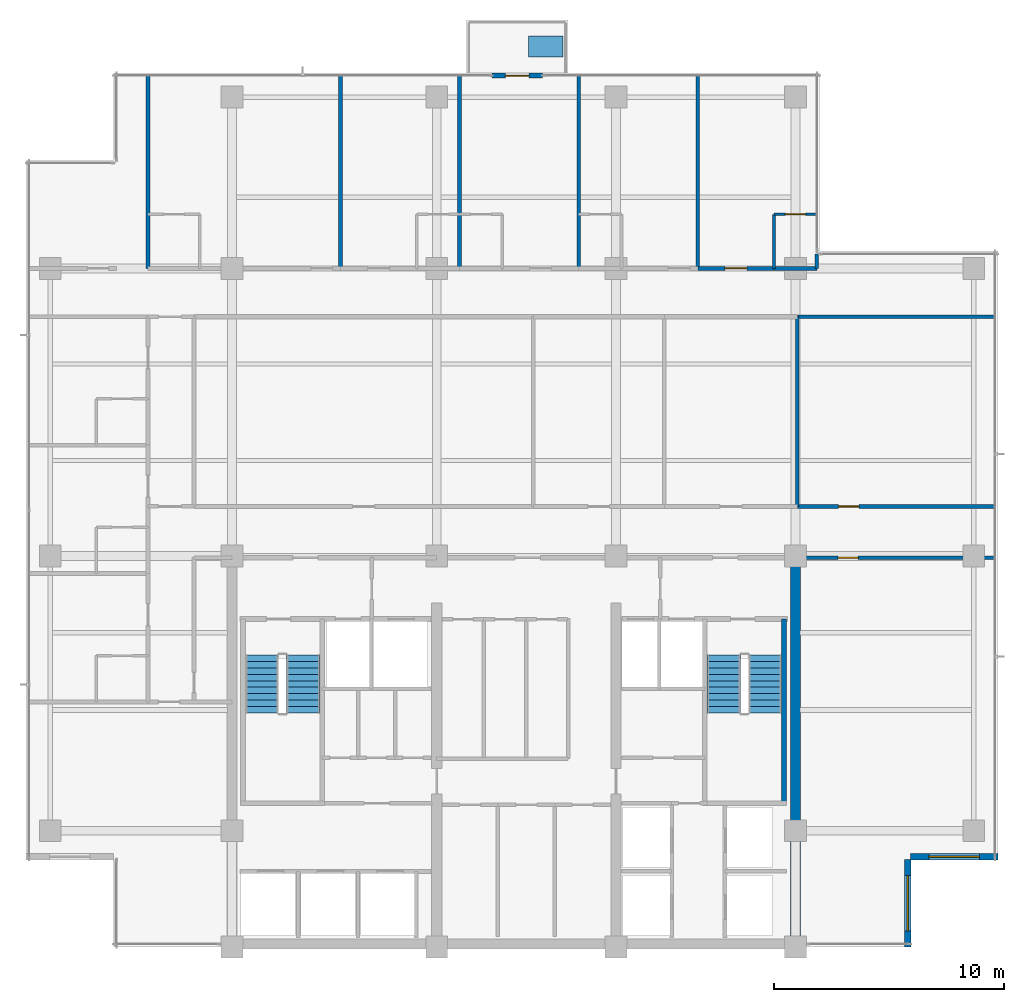
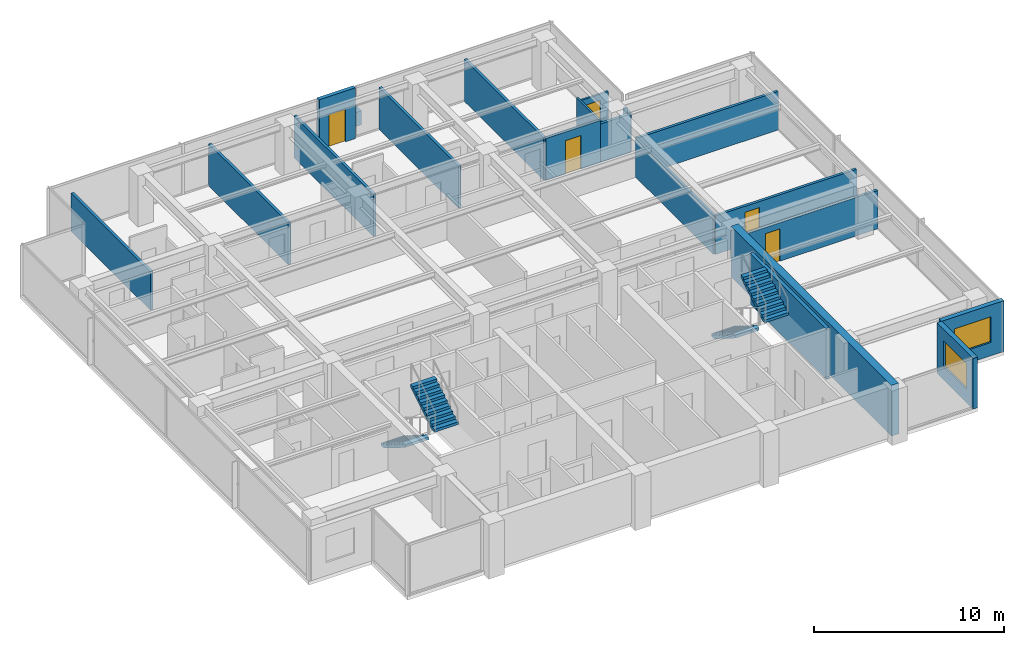
# One storey, part 10 of 15: 19 walls, 5 doors, 4 stair flights, 2 windows, 1 discrete accessory, 7 openings, 2 elements without a shape of their own.
"""IFC4 building model written with IfcOpenShell, lengths in metres."""

from ifc_helpers import new_model, si_unit, direction, frame, frame_2d, origin, place, context, subcontext, project, spatial, polyline, rectangle, outline, extrude, material, layer, layer_set, type_object, element, fill, aggregate, save


model = new_model("IFC4")

# Units and contexts
model_context = context("Model", 3, precision=1e-05, world=origin(), true_north=direction((0.0, 1.0)))
body_context = subcontext(model_context, "Body", "Model", "MODEL_VIEW")
ifc_project = project(units=[si_unit("LENGTHUNIT", "METRE"), si_unit("AREAUNIT", "SQUARE_METRE"), si_unit("VOLUMEUNIT", "CUBIC_METRE"), si_unit("PLANEANGLEUNIT", "RADIAN"), si_unit("MASSUNIT", "GRAM", prefix="KILO")], contexts=[model_context])

# Site, building, storey
site_placement = place(None, origin())
site = spatial("IfcSite", under=ifc_project, at=site_placement, CompositionType="ELEMENT")
building_placement = place(site_placement, origin())
building = spatial("IfcBuilding", under=site, at=building_placement, Name="Qalmaran Belvedere Hotel", CompositionType="ELEMENT")
storey_placement = place(building_placement, frame((0.0, 0.0, 196.89990234375)))
storey = spatial("IfcBuildingStorey", under=building, at=storey_placement, Name="L49", CompositionType="ELEMENT", Elevation=196.89990234375)

# Wall, opening, door
ifc_material_1 = material(Name="Anodised Bronze Cladding")
ifc_layer_1 = layer(ifc_material_1, 0.22509765625, Name="Anodised Bronze Cladding")
ifc_layer_set_1 = layer_set([ifc_layer_1], Name="Anodised Bronze Cladding")
wall_type_1 = type_object("IfcWallType", Name="WL-BAL-PORT-225", PredefinedType="SOLIDWALL", material=ifc_layer_set_1)
wall_1_placement = place(storey_placement, frame((31.60009765625, 41.3798828125, 0.0), z_axis=(0.0, 0.0, 1.0), x_axis=(1.0, 0.0, 0.0)))
wall_1 = element("IfcWall", 1, at=wall_1_placement, inside=storey, type_object=wall_type_1, Name="L49 Tree Balcony Door Portal", PredefinedType="SOLIDWALL", context=body_context, shape_type="SweptSolid", body=[
    extrude(rectangle(XDim=2.199951171875, YDim=0.22509765625, at=frame_2d((1.10009765625, 0.0))), origin(), (0.0, 0.0, 1.0), 3.260009765625),
])
opening_1_placement = place(wall_1_placement, frame((0.590087890625, 0.0, 0.0)))
opening_1 = element("IfcOpeningElement", 2, at=opening_1_placement, cuts=wall_1, Name="Opening BL-102", PredefinedType="OPENING", context=body_context, shape_type="SweptSolid", body=[
    extrude(rectangle(XDim=1.02001953125, YDim=2.10009765625, at=frame_2d((0.510009765625, 1.050048828125))), frame((0.0, 0.12255859375, 0.0), z_axis=(0.0, -1.0, 0.0), x_axis=(1.0, 0.0, 0.0)), (0.0, 0.0, 1.0), 0.2451171875),
])
ifc_material_2 = material(Name="Anodised Bronze Aluminium", Category="aluminium")
door_type_1 = type_object("IfcDoorType", Name="DR-BAL-1020X2100", OperationType="NOTDEFINED", PredefinedType="DOOR", material=ifc_material_2)
door_1_placement = place(opening_1_placement, origin())
door_1 = element("IfcDoor", 3, at=door_1_placement, inside=storey, type_object=door_type_1, Name="L49 Planted Tree Balcony Door", OperationType="SINGLE_SWING_RIGHT", OverallHeight=2.10009765625, OverallWidth=1.02001953125, PredefinedType="DOOR", context=body_context, shape_type="SweptSolid", body=[
    extrude(rectangle(XDim=1.02001953125, YDim=2.10009765625, at=frame_2d((0.510009765625, 1.050048828125))), frame((0.0, 0.02490234375, 0.0), z_axis=(0.0, -1.0, 0.0), x_axis=(1.0, 0.0, 0.0)), (0.0, 0.0, 1.0), 0.050048828125),
])
fill(opening_1, door_1)

# Wall
ifc_material_3 = material(Name="Concrete C50/60", Category="concrete")
ifc_layer_2 = layer(ifc_material_3, 0.449951171875, Name="Concrete C50/60")
ifc_layer_set_2 = layer_set([ifc_layer_2], Name="Concrete C50/60")
wall_type_2 = type_object("IfcWallType", Name="WL-CORE-450-C50", PredefinedType="SHEAR", material=ifc_layer_set_2)
wall_2_placement = place(storey_placement, frame((44.800048828125, 3.5, 0.0), z_axis=(0.0, 0.0, 1.0), x_axis=(0.0, 1.0, 0.0)))
element("IfcWall", 4, at=wall_2_placement, inside=storey, type_object=wall_type_2, Name="L49 East Core Shear Wall", PredefinedType="SHEAR", context=body_context, shape_type="SweptSolid", body=[
    extrude(rectangle(XDim=16.89990234375, YDim=0.449951171875, at=frame_2d((8.449951171875, 0.0))), origin(), (0.0, 0.0, 1.0), 3.260009765625),
])

# Wall, opening, window
ifc_layer_3 = layer(ifc_material_1, 0.280029296875, Name="Anodised Bronze Cladding")
ifc_layer_set_3 = layer_set([ifc_layer_3], Name="Anodised Bronze Cladding")
wall_type_3 = type_object("IfcWallType", Name="WL-EXT-BRNZ-280", PredefinedType="SOLIDWALL", material=ifc_layer_set_3)
wall_3_placement = place(storey_placement, frame((49.679931640625, 3.5, 0.0), z_axis=(0.0, 0.0, 1.0), x_axis=(0.0, 1.0, 0.0)))
wall_3 = element("IfcWall", 5, at=wall_3_placement, inside=storey, type_object=wall_type_3, Name="L49 Corner Notch Wall 1", PredefinedType="SOLIDWALL", context=body_context, shape_type="SweptSolid", body=[
    extrude(rectangle(XDim=3.800048828125, YDim=0.280029296875, at=frame_2d((1.89990234375, 0.0))), origin(), (0.0, 0.0, 1.0), 3.260009765625),
])
opening_2_placement = place(wall_3_placement, frame((0.699951171875, 0.0, 0.85009765625)))
opening_2 = element("IfcOpeningElement", 6, at=opening_2_placement, cuts=wall_3, Name="Opening W-N24", PredefinedType="OPENING", context=body_context, shape_type="SweptSolid", body=[
    extrude(rectangle(XDim=2.39990234375, YDim=1.64990234375, at=frame_2d((1.199951171875, 0.824951171875))), frame((0.0, 0.14990234375, 0.0), z_axis=(0.0, -1.0, 0.0), x_axis=(1.0, 0.0, 0.0)), (0.0, 0.0, 1.0), 0.300048828125),
])
ifc_material_4 = material(Name="Solar-Control Double Glazing", Category="glass")
window_type_1 = type_object("IfcWindowType", Name="WN-NTC-2400X1650", PartitioningType="SINGLE_PANEL", PredefinedType="WINDOW", material=ifc_material_4)
window_1_placement = place(opening_2_placement, origin())
window_1 = element("IfcWindow", 7, at=window_1_placement, inside=storey, type_object=window_type_1, Name="L49 Corner Notch Window 1", OverallHeight=1.64990234375, OverallWidth=2.39990234375, PartitioningType="SINGLE_PANEL", PredefinedType="WINDOW", context=body_context, shape_type="SweptSolid", body=[
    extrude(rectangle(XDim=2.39990234375, YDim=1.64990234375, at=frame_2d((1.199951171875, 0.824951171875))), frame((0.0, 0.030029296875, 0.0), z_axis=(0.0, -1.0, 0.0), x_axis=(1.0, 0.0, 0.0)), (0.0, 0.0, 1.0), 0.06005859375),
])
fill(opening_2, window_1)

wall_4_placement = place(storey_placement, frame((49.800048828125, 7.419921875, 0.0), z_axis=(0.0, 0.0, 1.0), x_axis=(1.0, 0.0, 0.0)))
wall_4 = element("IfcWall", 8, at=wall_4_placement, inside=storey, type_object=wall_type_3, Name="L49 Corner Notch Wall 2", PredefinedType="SOLIDWALL", context=body_context, shape_type="SweptSolid", body=[
    extrude(rectangle(XDim=3.800048828125, YDim=0.280029296875, at=frame_2d((1.89990234375, 0.0))), origin(), (0.0, 0.0, 1.0), 3.260009765625),
])
opening_3_placement = place(wall_4_placement, frame((0.800048828125, 0.0, 0.85009765625)))
opening_3 = element("IfcOpeningElement", 9, at=opening_3_placement, cuts=wall_4, Name="Opening W-N22", PredefinedType="OPENING", context=body_context, shape_type="SweptSolid", body=[
    extrude(rectangle(XDim=2.199951171875, YDim=1.64990234375, at=frame_2d((1.10009765625, 0.824951171875))), frame((0.0, 0.14990234375, 0.0), z_axis=(0.0, -1.0, 0.0), x_axis=(1.0, 0.0, 0.0)), (0.0, 0.0, 1.0), 0.300048828125),
])
window_type_2 = type_object("IfcWindowType", Name="WN-NTC-2200X1650", PartitioningType="SINGLE_PANEL", PredefinedType="WINDOW", material=ifc_material_4)
window_2_placement = place(opening_3_placement, origin())
window_2 = element("IfcWindow", 10, at=window_2_placement, inside=storey, type_object=window_type_2, Name="L49 Corner Notch Window 2", OverallHeight=1.64990234375, OverallWidth=2.199951171875, PartitioningType="SINGLE_PANEL", PredefinedType="WINDOW", context=body_context, shape_type="SweptSolid", body=[
    extrude(rectangle(XDim=2.199951171875, YDim=1.64990234375, at=frame_2d((1.10009765625, 0.824951171875))), frame((0.0, 0.030029296875, 0.0), z_axis=(0.0, -1.0, 0.0), x_axis=(1.0, 0.0, 0.0)), (0.0, 0.0, 1.0), 0.06005859375),
])
fill(opening_3, window_2)

# Wall, opening, door
ifc_material_5 = material(Name="Moisture-Resistant Gypsum")
ifc_layer_4 = layer(ifc_material_5, 0.1201171875, Name="Moisture-Resistant Gypsum")
ifc_layer_set_4 = layer_set([ifc_layer_4], Name="Moisture-Resistant Gypsum")
wall_type_4 = type_object("IfcWallType", Name="WL-INT-120-BATH", PredefinedType="PARTITIONING", material=ifc_layer_set_4)
wall_5_placement = place(storey_placement, frame((43.8701171875, 35.35009765625, 0.0), z_axis=(0.0, 0.0, 1.0), x_axis=(1.0, 0.0, 0.0)))
wall_5 = element("IfcWall", 11, at=wall_5_placement, inside=storey, type_object=wall_type_4, Name="L49 Partition WL-L49-NBN04", PredefinedType="PARTITIONING", context=body_context, shape_type="SweptSolid", body=[
    extrude(rectangle(XDim=1.85986328125, YDim=0.1201171875, at=frame_2d((0.929931640625, 0.0))), origin(), (0.0, 0.0, 1.0), 2.47216796875),
])
opening_4_placement = place(wall_5_placement, frame((1.369873046875, 0.0, 0.0), z_axis=(0.0, 0.0, 1.0), x_axis=(-1.0, 0.0, 0.0)))
opening_4 = element("IfcOpeningElement", 12, at=opening_4_placement, cuts=wall_5, Name="Opening D-BATH", PredefinedType="OPENING", context=body_context, shape_type="SweptSolid", body=[
    extrude(rectangle(XDim=0.8798828125, YDim=2.080078125, at=frame_2d((0.43994140625, 1.0400390625))), frame((0.0, 0.070068359375, 0.0), z_axis=(0.0, -1.0, 0.0), x_axis=(1.0, 0.0, 0.0)), (0.0, 0.0, 1.0), 0.14013671875),
])
ifc_material_6 = material(Name="Engineered Oak Veneer")
door_type_2 = type_object("IfcDoorType", Name="DR-INT-BATH-880X2080", OperationType="NOTDEFINED", PredefinedType="DOOR", material=ifc_material_6)
door_2_placement = place(opening_4_placement, origin())
door_2 = element("IfcDoor", 13, at=door_2_placement, inside=storey, type_object=door_type_2, Name="L49 Ensuite Bathroom Door N05", OperationType="SINGLE_SWING_RIGHT", OverallHeight=2.080078125, OverallWidth=0.8798828125, PredefinedType="DOOR", context=body_context, shape_type="SweptSolid", body=[
    extrude(rectangle(XDim=0.8798828125, YDim=2.080078125, at=frame_2d((0.43994140625, 1.0400390625))), frame((0.0, 0.02490234375, 0.0), z_axis=(0.0, -1.0, 0.0), x_axis=(1.0, 0.0, 0.0)), (0.0, 0.0, 1.0), 0.050048828125),
])
fill(opening_4, door_2)

# Wall
wall_6_placement = place(storey_placement, frame((43.8701171875, 33.0, 0.0), z_axis=(0.0, 0.0, 1.0), x_axis=(0.0, 1.0, 0.0)))
element("IfcWall", 14, at=wall_6_placement, inside=storey, type_object=wall_type_4, Name="L49 Partition WL-L49-NBS04", PredefinedType="PARTITIONING", context=body_context, shape_type="SweptSolid", body=[
    extrude(rectangle(XDim=2.35009765625, YDim=0.1201171875, at=frame_2d((1.175048828125, 0.0))), origin(), (0.0, 0.0, 1.0), 2.7060546875),
])

# Wall, opening, door
ifc_material_7 = material(Name="Gypsum Stud Partition")
ifc_layer_5 = layer(ifc_material_7, 0.159912109375, Name="Gypsum Stud Partition")
ifc_layer_set_5 = layer_set([ifc_layer_5], Name="Gypsum Stud Partition")
wall_type_5 = type_object("IfcWallType", Name="WL-INT-160-EI60", PredefinedType="PARTITIONING", material=ifc_layer_set_5)
wall_7_placement = place(storey_placement, frame((44.800048828125, 20.419921875, 0.0), z_axis=(0.0, 0.0, 1.0), x_axis=(1.0, 0.0, 0.0)))
wall_7 = element("IfcWall", 15, at=wall_7_placement, inside=storey, type_object=wall_type_5, Name="L49 Partition WL-L49-ECE1S", PredefinedType="PARTITIONING", context=body_context, shape_type="SweptSolid", body=[
    extrude(rectangle(XDim=8.679931640625, YDim=0.159912109375, at=frame_2d((4.33984375, 0.0))), origin(), (0.0, 0.0, 1.0), 2.47216796875),
])
opening_5_placement = place(wall_7_placement, frame((2.72998046875, 0.0, 0.0), z_axis=(0.0, 0.0, 1.0), x_axis=(-1.0, 0.0, 0.0)))
opening_5 = element("IfcOpeningElement", 16, at=opening_5_placement, cuts=wall_7, Name="Opening FD60B", PredefinedType="OPENING", context=body_context, shape_type="SweptSolid", body=[
    extrude(rectangle(XDim=0.8798828125, YDim=2.080078125, at=frame_2d((0.43994140625, 1.0400390625))), frame((0.0, 0.08984375, 0.0), z_axis=(0.0, -1.0, 0.0), x_axis=(1.0, 0.0, 0.0)), (0.0, 0.0, 1.0), 0.179931640625),
])
ifc_material_8 = material(Name="Steel S355JR", Category="steel")
door_type_3 = type_object("IfcDoorType", Name="DR-FD60B-880X2080", OperationType="NOTDEFINED", PredefinedType="DOOR", material=ifc_material_8)
door_3_placement = place(opening_5_placement, origin())
door_3 = element("IfcDoor", 17, at=door_3_placement, inside=storey, type_object=door_type_3, Name="L49 East Library Door", OperationType="SINGLE_SWING_LEFT", OverallHeight=2.080078125, OverallWidth=0.8798828125, PredefinedType="DOOR", context=body_context, shape_type="SweptSolid", body=[
    extrude(rectangle(XDim=0.8798828125, YDim=2.080078125, at=frame_2d((0.43994140625, 1.0400390625))), frame((0.0, 0.02490234375, 0.0), z_axis=(0.0, -1.0, 0.0), x_axis=(1.0, 0.0, 0.0)), (0.0, 0.0, 1.0), 0.050048828125),
])
fill(opening_5, door_3)

wall_8_placement = place(storey_placement, frame((44.8798828125, 22.64990234375, 0.0), z_axis=(0.0, 0.0, 1.0), x_axis=(1.0, 0.0, 0.0)))
wall_8 = element("IfcWall", 18, at=wall_8_placement, inside=storey, type_object=wall_type_5, Name="L49 Partition WL-L49-ECE2N", PredefinedType="PARTITIONING", context=body_context, shape_type="SweptSolid", body=[
    extrude(rectangle(XDim=8.60009765625, YDim=0.159912109375, at=frame_2d((4.300048828125, 0.0))), origin(), (0.0, 0.0, 1.0), 2.47216796875),
])
opening_6_placement = place(wall_8_placement, frame((1.800048828125, 0.0, 0.0)))
opening_6 = element("IfcOpeningElement", 19, at=opening_6_placement, cuts=wall_8, Name="Opening FD60B", PredefinedType="OPENING", context=body_context, shape_type="SweptSolid", body=[
    extrude(rectangle(XDim=0.8798828125, YDim=2.080078125, at=frame_2d((0.43994140625, 1.0400390625))), frame((0.0, 0.08984375, 0.0), z_axis=(0.0, -1.0, 0.0), x_axis=(1.0, 0.0, 0.0)), (0.0, 0.0, 1.0), 0.179931640625),
])
door_4_placement = place(opening_6_placement, origin())
door_4 = element("IfcDoor", 20, at=door_4_placement, inside=storey, type_object=door_type_3, Name="L49 East Fitness Door", OperationType="SINGLE_SWING_RIGHT", OverallHeight=2.080078125, OverallWidth=0.8798828125, PredefinedType="DOOR", context=body_context, shape_type="SweptSolid", body=[
    extrude(rectangle(XDim=0.8798828125, YDim=2.080078125, at=frame_2d((0.43994140625, 1.0400390625))), frame((0.0, 0.02490234375, 0.0), z_axis=(0.0, -1.0, 0.0), x_axis=(1.0, 0.0, 0.0)), (0.0, 0.0, 1.0), 0.050048828125),
])
fill(opening_6, door_4)

# Walls
wall_9_placement = place(storey_placement, frame((44.8798828125, 30.89990234375, 0.0), z_axis=(0.0, 0.0, 1.0), x_axis=(1.0, 0.0, 0.0)))
element("IfcWall", 21, at=wall_9_placement, inside=storey, type_object=wall_type_5, Name="L49 Partition WL-L49-ECEN", PredefinedType="PARTITIONING", context=body_context, shape_type="SweptSolid", body=[
    extrude(rectangle(XDim=8.60009765625, YDim=0.159912109375, at=frame_2d((4.300048828125, 0.0))), origin(), (0.0, 0.0, 1.0), 2.47216796875),
])
wall_10_placement = place(storey_placement, frame((44.8798828125, 22.64990234375, 0.0), z_axis=(0.0, 0.0, 1.0), x_axis=(0.0, 1.0, 0.0)))
element("IfcWall", 22, at=wall_10_placement, inside=storey, type_object=wall_type_5, Name="L49 Partition WL-L49-MIDVR3", PredefinedType="PARTITIONING", context=body_context, shape_type="SweptSolid", body=[
    extrude(rectangle(XDim=8.25, YDim=0.159912109375, at=frame_2d((4.125, 0.0))), origin(), (0.0, 0.0, 1.0), 2.47216796875),
])
wall_11_placement = place(storey_placement, frame((16.64990234375, 33.0, 0.0), z_axis=(0.0, 0.0, 1.0), x_axis=(0.0, 1.0, 0.0)))
element("IfcWall", 23, at=wall_11_placement, inside=storey, type_object=wall_type_5, Name="L49 Partition WL-L49-NUL", PredefinedType="PARTITIONING", context=body_context, shape_type="SweptSolid", body=[
    extrude(rectangle(XDim=8.3798828125, YDim=0.159912109375, at=frame_2d((4.18994140625, 0.0))), origin(), (0.0, 0.0, 1.0), 2.47216796875),
])
for number, where, z_axis, x_axis, name in (
    (24, (25.01708984375, 33.0, 0.0), (0.0, 0.0, 1.0), (0.0, 1.0, 0.0), "L49 Partition WL-L49-NUR00"),
    (25, (30.1953125, 33.0, 0.0), (0.0, 0.0, 1.0), (0.0, 1.0, 0.0), "L49 Partition WL-L49-NUR01"),
    (26, (35.37353515625, 33.0, 0.0), (0.0, 0.0, 1.0), (0.0, 1.0, 0.0), "L49 Partition WL-L49-NUR02"),
    (27, (40.5517578125, 33.0, 0.0), (0.0, 0.0, 1.0), (0.0, 1.0, 0.0), "L49 Partition WL-L49-NUR03"),
):
    element("IfcWall", number, at=place(storey_placement, frame(where, z_axis=z_axis, x_axis=x_axis)), inside=storey, type_object=wall_type_5, Name=name, PredefinedType="PARTITIONING", context=body_context, shape_type="SweptSolid", body=[
        extrude(rectangle(XDim=8.3798828125, YDim=0.159912109375, at=frame_2d((4.18994140625, 0.0))), origin(), (0.0, 0.0, 1.0), 2.7060546875),
    ])
wall_12_placement = place(storey_placement, frame((45.72998046875, 33.0, 0.0), z_axis=(0.0, 0.0, 1.0), x_axis=(0.0, 1.0, 0.0)))
element("IfcWall", 28, at=wall_12_placement, inside=storey, type_object=wall_type_5, Name="L49 Partition WL-L49-NUR04", PredefinedType="PARTITIONING", context=body_context, shape_type="SweptSolid", body=[
    extrude(rectangle(XDim=0.6298828125, YDim=0.159912109375, at=frame_2d((0.31494140625, 0.0))), origin(), (0.0, 0.0, 1.0), 2.47216796875),
])
ifc_layer_6 = layer(ifc_material_7, 0.179931640625, Name="Gypsum Stud Partition")
ifc_layer_set_6 = layer_set([ifc_layer_6], Name="Gypsum Stud Partition")
wall_type_6 = type_object("IfcWallType", Name="WL-INT-180-EI60", PredefinedType="PARTITIONING", material=ifc_layer_set_6)
wall_13_placement = place(storey_placement, frame((43.8701171875, 33.0, 0.0), z_axis=(0.0, 0.0, 1.0), x_axis=(1.0, 0.0, 0.0)))
element("IfcWall", 29, at=wall_13_placement, inside=storey, type_object=wall_type_6, Name="L49 Partition WL-L49-NBC04", PredefinedType="PARTITIONING", context=body_context, shape_type="SweptSolid", body=[
    extrude(rectangle(XDim=1.85986328125, YDim=0.179931640625, at=frame_2d((0.929931640625, 0.0))), origin(), (0.0, 0.0, 1.0), 2.47216796875),
])

# Wall, opening, door
wall_14_placement = place(storey_placement, frame((40.5517578125, 33.0, 0.0), z_axis=(0.0, 0.0, 1.0), x_axis=(1.0, 0.0, 0.0)))
wall_14 = element("IfcWall", 30, at=wall_14_placement, inside=storey, type_object=wall_type_6, Name="L49 Partition WL-L49-NEC04", PredefinedType="PARTITIONING", context=body_context, shape_type="SweptSolid", body=[
    extrude(rectangle(XDim=3.318359375, YDim=0.179931640625, at=frame_2d((1.6591796875, 0.0))), origin(), (0.0, 0.0, 1.0), 2.7060546875),
])
opening_7_placement = place(wall_14_placement, frame((1.18408203125, 0.0, 0.0)))
opening_7 = element("IfcOpeningElement", 31, at=opening_7_placement, cuts=wall_14, Name="Opening FD60", PredefinedType="OPENING", context=body_context, shape_type="SweptSolid", body=[
    extrude(rectangle(XDim=0.949951171875, YDim=2.14990234375, at=frame_2d((0.47509765625, 1.074951171875))), frame((0.0, 0.10009765625, 0.0), z_axis=(0.0, -1.0, 0.0), x_axis=(1.0, 0.0, 0.0)), (0.0, 0.0, 1.0), 0.199951171875),
])
door_type_4 = type_object("IfcDoorType", Name="DR-FD60-950X2150", OperationType="NOTDEFINED", PredefinedType="DOOR", material=ifc_material_6)
door_5_placement = place(opening_7_placement, origin())
door_5 = element("IfcDoor", 32, at=door_5_placement, inside=storey, type_object=door_type_4, Name="L49 Guest Entrance Door N05", OperationType="SINGLE_SWING_LEFT", OverallHeight=2.14990234375, OverallWidth=0.949951171875, PredefinedType="DOOR", context=body_context, shape_type="SweptSolid", body=[
    extrude(rectangle(XDim=0.949951171875, YDim=2.14990234375, at=frame_2d((0.47509765625, 1.074951171875))), frame((0.0, 0.02490234375, 0.0), z_axis=(0.0, -1.0, 0.0), x_axis=(1.0, 0.0, 0.0)), (0.0, 0.0, 1.0), 0.050048828125),
])
fill(opening_7, door_5)

# Wall
ifc_layer_7 = layer(ifc_material_3, 0.2099609375, Name="Concrete C50/60")
ifc_layer_set_7 = layer_set([ifc_layer_7], Name="Concrete C50/60")
wall_type_7 = type_object("IfcWallType", Name="WL-STAIR-210-C50", PredefinedType="SHEAR", material=ifc_layer_set_7)
wall_15_placement = place(storey_placement, frame((44.304931640625, 9.7451171875, 0.0), z_axis=(0.0, 0.0, 1.0), x_axis=(0.0, 1.0, 0.0)))
element("IfcWall", 33, at=wall_15_placement, inside=storey, type_object=wall_type_7, Name="L49 Stair ST-2 East Bearing Wall", PredefinedType="SHEAR", context=body_context, shape_type="SweptSolid", body=[
    extrude(rectangle(XDim=8.009765625, YDim=0.2099609375, at=frame_2d((4.0048828125, 0.0))), origin(), (0.0, 0.0, 1.0), 3.260009765625),
])

# Stair, stair flights
ifc_material_9 = material(Name="Concrete C40/50", Category="concrete")
stair_type_1 = type_object("IfcStairType", Name="STR-ST-1-1450-R1750", PredefinedType="HALF_TURN_STAIR", material=ifc_material_9)
stair_1_placement = place(storey_placement, origin())
stair_1 = element("IfcStair", 34, at=stair_1_placement, inside=storey, type_object=stair_type_1, Name="L49 West Core Exit Stair ST-1", PredefinedType="HALF_TURN_STAIR")
ifc_layer_8 = layer(ifc_material_9, 0.14990234375, Name="Concrete C40/50")
ifc_layer_set_8 = layer_set([ifc_layer_8], Name="Concrete C40/50")
stair_flight_type_1 = type_object("IfcStairFlightType", Name="STF-ST-1-1450-R1750", PredefinedType="STRAIGHT", material=ifc_layer_set_8)
stair_flight_1_placement = place(storey_placement, frame((21.60498046875, 16.18994140625, 0.0), z_axis=(0.0, 0.0, 1.0), x_axis=(0.0, -1.0, 0.0)))
stair_flight_1 = element("IfcStairFlight", 35, at=stair_flight_1_placement, type_object=stair_flight_type_1, Name="ST-1 flight 1", NumberOfRisers=10, NumberOfTreads=9, PredefinedType="STRAIGHT", RiserHeight=0.175, TreadLength=0.28, context=body_context, shape_type="SweptSolid", body=[
    extrude(outline(polyline([(0.0, 0.0), (0.0, 0.175048828125), (0.280029296875, 0.175048828125), (0.280029296875, 0.35009765625), (0.56005859375, 0.35009765625), (0.56005859375, 0.52490234375), (0.840087890625, 0.52490234375), (0.840087890625, 0.699951171875), (1.1201171875, 0.699951171875), (1.1201171875, 0.875), (1.39990234375, 0.875), (1.39990234375, 1.050048828125), (1.679931640625, 1.050048828125), (1.679931640625, 1.22509765625), (1.9599609375, 1.22509765625), (1.9599609375, 1.39990234375), (2.239990234375, 1.39990234375), (2.239990234375, 1.574951171875), (2.52001953125, 1.574951171875), (2.52001953125, 1.75), (2.52001953125, 1.398193359375), (0.28271484375, 0.0), (0.0, 0.0)])), frame((0.0, 0.72509765625, 0.0), z_axis=(0.0, -1.0, 0.0), x_axis=(1.0, 0.0, 0.0)), (0.0, 0.0, 1.0), 1.449951171875),
])
stair_flight_2_placement = place(storey_placement, frame((23.39501953125, 13.669921875, 1.75), z_axis=(0.0, 0.0, 1.0), x_axis=(0.0, 1.0, 0.0)))
stair_flight_2 = element("IfcStairFlight", 36, at=stair_flight_2_placement, type_object=stair_flight_type_1, Name="ST-1 flight 2", NumberOfRisers=10, NumberOfTreads=9, PredefinedType="STRAIGHT", RiserHeight=0.175, TreadLength=0.28, context=body_context, shape_type="SweptSolid", body=[
    extrude(outline(polyline([(0.0, 0.0), (0.0, 0.175048828125), (0.280029296875, 0.175048828125), (0.280029296875, 0.35009765625), (0.56005859375, 0.35009765625), (0.56005859375, 0.52490234375), (0.840087890625, 0.52490234375), (0.840087890625, 0.699951171875), (1.1201171875, 0.699951171875), (1.1201171875, 0.875), (1.39990234375, 0.875), (1.39990234375, 1.050048828125), (1.679931640625, 1.050048828125), (1.679931640625, 1.22509765625), (1.9599609375, 1.22509765625), (1.9599609375, 1.39990234375), (2.239990234375, 1.39990234375), (2.239990234375, 1.574951171875), (2.52001953125, 1.574951171875), (2.52001953125, 1.75), (2.52001953125, 1.398193359375), (0.28271484375, 0.0), (0.0, 0.0)])), frame((0.0, 0.72509765625, 0.0), z_axis=(0.0, -1.0, 0.0), x_axis=(1.0, 0.0, 0.0)), (0.0, 0.0, 1.0), 1.449951171875),
])
aggregate(stair_1, [stair_flight_1, stair_flight_2])

stair_type_2 = type_object("IfcStairType", Name="STR-ST-2-1450-R1750", PredefinedType="HALF_TURN_STAIR", material=ifc_material_9)
stair_2_placement = place(storey_placement, origin())
stair_2 = element("IfcStair", 37, at=stair_2_placement, inside=storey, type_object=stair_type_2, Name="L49 East Core Exit Stair ST-2", PredefinedType="HALF_TURN_STAIR")
ifc_layer_9 = layer(ifc_material_9, 0.14990234375, Name="Concrete C40/50")
ifc_layer_set_9 = layer_set([ifc_layer_9], Name="Concrete C40/50")
stair_flight_type_2 = type_object("IfcStairFlightType", Name="STF-ST-2-1450-R1750", PredefinedType="STRAIGHT", material=ifc_layer_set_9)
stair_flight_3_placement = place(storey_placement, frame((41.68505859375, 16.18994140625, 0.0), z_axis=(0.0, 0.0, 1.0), x_axis=(0.0, -1.0, 0.0)))
stair_flight_3 = element("IfcStairFlight", 38, at=stair_flight_3_placement, type_object=stair_flight_type_2, Name="ST-2 flight 1", NumberOfRisers=10, NumberOfTreads=9, PredefinedType="STRAIGHT", RiserHeight=0.175, TreadLength=0.28, context=body_context, shape_type="SweptSolid", body=[
    extrude(outline(polyline([(0.0, 0.0), (0.0, 0.175048828125), (0.280029296875, 0.175048828125), (0.280029296875, 0.35009765625), (0.56005859375, 0.35009765625), (0.56005859375, 0.52490234375), (0.840087890625, 0.52490234375), (0.840087890625, 0.699951171875), (1.1201171875, 0.699951171875), (1.1201171875, 0.875), (1.39990234375, 0.875), (1.39990234375, 1.050048828125), (1.679931640625, 1.050048828125), (1.679931640625, 1.22509765625), (1.9599609375, 1.22509765625), (1.9599609375, 1.39990234375), (2.239990234375, 1.39990234375), (2.239990234375, 1.574951171875), (2.52001953125, 1.574951171875), (2.52001953125, 1.75), (2.52001953125, 1.398193359375), (0.28271484375, 0.0), (0.0, 0.0)])), frame((0.0, 0.72509765625, 0.0), z_axis=(0.0, -1.0, 0.0), x_axis=(1.0, 0.0, 0.0)), (0.0, 0.0, 1.0), 1.449951171875),
])
stair_flight_4_placement = place(storey_placement, frame((43.47509765625, 13.669921875, 1.75), z_axis=(0.0, 0.0, 1.0), x_axis=(0.0, 1.0, 0.0)))
stair_flight_4 = element("IfcStairFlight", 39, at=stair_flight_4_placement, type_object=stair_flight_type_2, Name="ST-2 flight 2", NumberOfRisers=10, NumberOfTreads=9, PredefinedType="STRAIGHT", RiserHeight=0.175, TreadLength=0.28, context=body_context, shape_type="SweptSolid", body=[
    extrude(outline(polyline([(0.0, 0.0), (0.0, 0.175048828125), (0.280029296875, 0.175048828125), (0.280029296875, 0.35009765625), (0.56005859375, 0.35009765625), (0.56005859375, 0.52490234375), (0.840087890625, 0.52490234375), (0.840087890625, 0.699951171875), (1.1201171875, 0.699951171875), (1.1201171875, 0.875), (1.39990234375, 0.875), (1.39990234375, 1.050048828125), (1.679931640625, 1.050048828125), (1.679931640625, 1.22509765625), (1.9599609375, 1.22509765625), (1.9599609375, 1.39990234375), (2.239990234375, 1.39990234375), (2.239990234375, 1.574951171875), (2.52001953125, 1.574951171875), (2.52001953125, 1.75), (2.52001953125, 1.398193359375), (0.28271484375, 0.0), (0.0, 0.0)])), frame((0.0, 0.72509765625, 0.0), z_axis=(0.0, -1.0, 0.0), x_axis=(1.0, 0.0, 0.0)), (0.0, 0.0, 1.0), 1.449951171875),
])
aggregate(stair_2, [stair_flight_3, stair_flight_4])

# Discrete accessory
discrete_accessory_type = type_object("IfcDiscreteAccessoryType", Name="PLN-BAL-1500", PredefinedType="USERDEFINED", material=ifc_material_9)
discrete_accessory_placement = place(storey_placement, origin())
element("IfcDiscreteAccessory", 40, at=discrete_accessory_placement, inside=storey, type_object=discrete_accessory_type, Name="L49 Sky Tree Planter", ObjectType="PLANTER", PredefinedType="USERDEFINED", context=body_context, shape_type="SweptSolid", body=[
    extrude(outline(polyline([(33.199951171875, 42.199951171875), (34.699951171875, 42.199951171875), (34.699951171875, 43.10009765625), (33.199951171875, 43.10009765625), (33.199951171875, 42.199951171875)])), origin(), (0.0, 0.0, 1.0), 0.900146484375),
])

save(model, "model.ifc")
